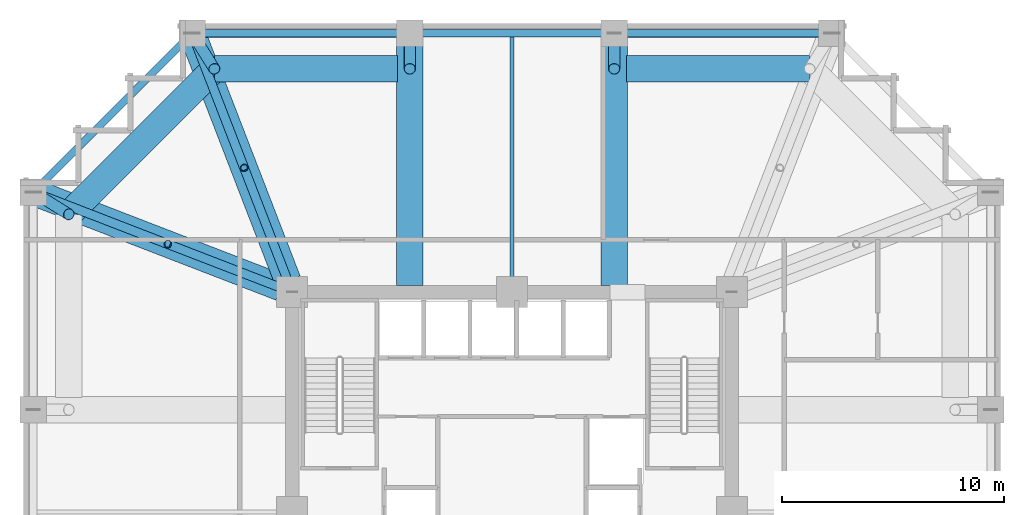
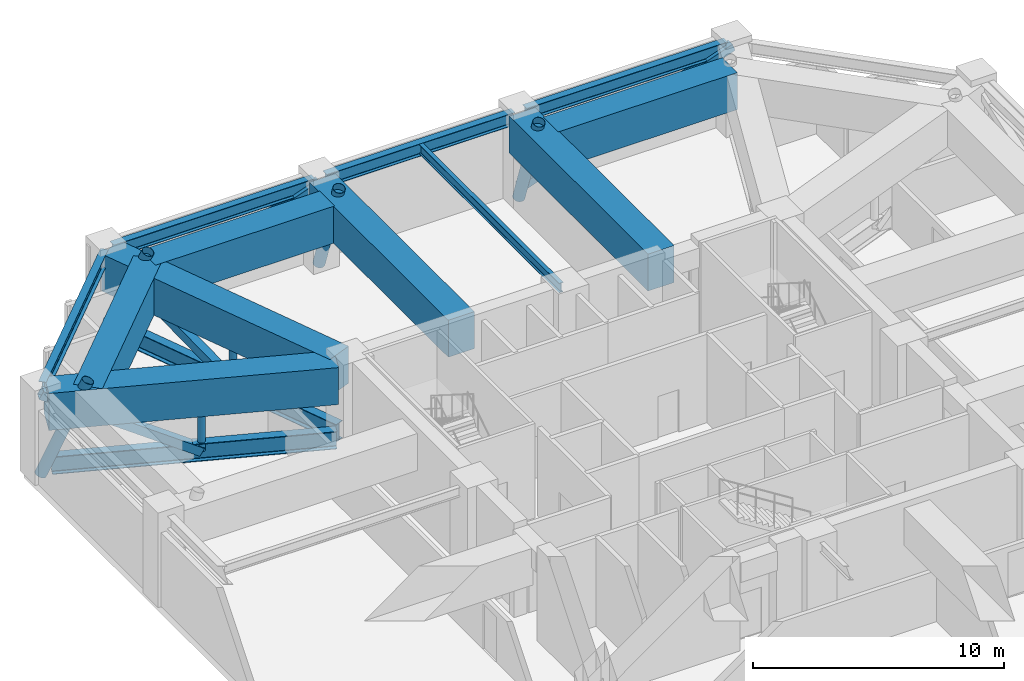
# One storey, part 5 of 15: 14 beams, 10 members.
"""IFC4 building model written with IfcOpenShell, lengths in metres."""

from ifc_helpers import new_model, si_unit, direction, frame, origin, origin_2d, place, context, subcontext, project, spatial, rectangle, hollow_rectangle, hollow_circle, i_section, extrude, material, material_profile, profile_set, type_object, element, save


model = new_model("IFC4")

# Units and contexts
model_context = context("Model", 3, precision=1e-05, world=origin(), true_north=direction((0.0, 1.0)))
body_context = subcontext(model_context, "Body", "Model", "MODEL_VIEW")
ifc_project = project(units=[si_unit("LENGTHUNIT", "METRE"), si_unit("AREAUNIT", "SQUARE_METRE"), si_unit("VOLUMEUNIT", "CUBIC_METRE"), si_unit("PLANEANGLEUNIT", "RADIAN"), si_unit("MASSUNIT", "GRAM", prefix="KILO")], contexts=[model_context])

# Site, building, storey
site_placement = place(None, origin())
site = spatial("IfcSite", under=ifc_project, at=site_placement, CompositionType="ELEMENT")
building_placement = place(site_placement, origin())
building = spatial("IfcBuilding", under=site, at=building_placement, Name="Kolvaren Belvedere", CompositionType="ELEMENT")
storey_placement = place(building_placement, frame((0.0, 0.0, 63.39990234375)))
storey = spatial("IfcBuildingStorey", under=building, at=storey_placement, Name="L18", CompositionType="ELEMENT", Elevation=63.39990234375)

# Beams
ifc_material_1 = material(Name="Structural steel ASTM A992 Grade 50", Category="steel")
ifc_material_profile_1 = material_profile(ifc_material_1, i_section(OverallWidth=0.39990234375, OverallDepth=0.85595703125, WebThickness=0.018310546875, FlangeThickness=0.029296875, FilletRadius=0.02490234375, at=origin_2d()), Name="W33X201")
ifc_profile_set_1 = profile_set([ifc_material_profile_1], Name="Structural steel ASTM A992 Grade 50")
beam_type_1 = type_object("IfcBeamType", Name="BM-GIRD-W33X201", PredefinedType="BEAM", material=ifc_profile_set_1)
for number, where, z_axis, x_axis, name in (
    (1, (-10.09814453125, 10.4130859375, 0.47998046875), (-0.360321534967, 0.932828168228, 0.0), (-0.932828168228, -0.360321534967, 0.0), "L18 Outrigger Truss Bottom Chord OB-7"),
    (2, (-10.4130859375, 10.09814453125, 0.47998046875), (-0.932828168228, 0.360321534967, 0.0), (-0.360321534967, -0.932828168228, 0.0), "L18 Outrigger Truss Bottom Chord OB-8"),
):
    element("IfcBeam", number, at=place(storey_placement, frame(where, z_axis=z_axis, x_axis=x_axis)), inside=storey, type_object=beam_type_1, Name=name, PredefinedType="BEAM", context=body_context, shape_type="SweptSolid", body=[
        extrude(i_section(OverallWidth=0.39990234375, OverallDepth=0.85595703125, WebThickness=0.018310546875, FlangeThickness=0.029296875, FilletRadius=0.02490234375, at=origin_2d()), origin(), (0.0, 0.0, 1.0), 11.48876953125),
    ])
ifc_material_2 = material(Name="Structural steel ASTM A992 Grade 50", Category="steel")
ifc_material_profile_2 = material_profile(ifc_material_2, i_section(OverallWidth=0.19091796875, OverallDepth=0.4599609375, WebThickness=0.010009765625, FlangeThickness=0.01611328125, FilletRadius=0.014892578125, at=origin_2d()), Name="W18X55")
ifc_profile_set_2 = profile_set([ifc_material_profile_2], Name="Structural steel ASTM A992 Grade 50")
beam_type_2 = type_object("IfcBeamType", Name="BM-JOIST-W18X55", PredefinedType="BEAM", material=ifc_profile_set_2)
beam_1_placement = place(storey_placement, frame((0.0, 10.199951171875, 4.070068359375), z_axis=(0.0, 1.0, 0.0), x_axis=(-1.0, 0.0, 0.0)))
element("IfcBeam", 3, at=beam_1_placement, inside=storey, type_object=beam_type_2, Name="L18 North Centre Floor Beam", PredefinedType="BEAM", context=body_context, shape_type="SweptSolid", body=[
    extrude(i_section(OverallWidth=0.19091796875, OverallDepth=0.4599609375, WebThickness=0.010009765625, FlangeThickness=0.01611328125, FilletRadius=0.014892578125, at=origin_2d()), origin(), (0.0, 0.0, 1.0), 11.1875),
])
ifc_material_3 = material(Name="Structural steel ASTM A992 Grade 50", Category="steel")
ifc_material_profile_3 = material_profile(ifc_material_3, i_section(OverallWidth=0.324951171875, OverallDepth=0.615966796875, WebThickness=0.013916015625, FlangeThickness=0.021484375, FilletRadius=0.02001953125, at=origin_2d()), Name="W24X117")
ifc_profile_set_3 = profile_set([ifc_material_profile_3], Name="Structural steel ASTM A992 Grade 50")
beam_type_3 = type_object("IfcBeamType", Name="BM-SPAN-W24X117", PredefinedType="SPANDREL", material=ifc_profile_set_3)
beam_2_placement = place(storey_placement, frame((14.1298828125, 21.550048828125, 3.9921875), z_axis=(-1.0, 0.0, 0.0), x_axis=(0.0, -1.0, 0.0)))
element("IfcBeam", 4, at=beam_2_placement, inside=storey, type_object=beam_type_3, Name="L18 Perimeter Spandrel N4-N3", PredefinedType="SPANDREL", context=body_context, shape_type="SweptSolid", body=[
    extrude(i_section(OverallWidth=0.324951171875, OverallDepth=0.615966796875, WebThickness=0.013916015625, FlangeThickness=0.021484375, FilletRadius=0.02001953125, at=origin_2d()), origin(), (0.0, 0.0, 1.0), 9.259765625),
])
beam_3_placement = place(storey_placement, frame((4.330078125, 21.550048828125, 3.9921875), z_axis=(-1.0, 0.0, 0.0), x_axis=(0.0, -1.0, 0.0)))
element("IfcBeam", 5, at=beam_3_placement, inside=storey, type_object=beam_type_3, Name="L18 Perimeter Spandrel N3-N2", PredefinedType="SPANDREL", context=body_context, shape_type="SweptSolid", body=[
    extrude(i_section(OverallWidth=0.324951171875, OverallDepth=0.615966796875, WebThickness=0.013916015625, FlangeThickness=0.021484375, FilletRadius=0.02001953125, at=origin_2d()), origin(), (0.0, 0.0, 1.0), 8.66015625),
])
beam_4_placement = place(storey_placement, frame((-4.8701171875, 21.550048828125, 3.9921875), z_axis=(-1.0, 0.0, 0.0), x_axis=(0.0, -1.0, 0.0)))
element("IfcBeam", 6, at=beam_4_placement, inside=storey, type_object=beam_type_3, Name="L18 Perimeter Spandrel N2-N1", PredefinedType="SPANDREL", context=body_context, shape_type="SweptSolid", body=[
    extrude(i_section(OverallWidth=0.324951171875, OverallDepth=0.615966796875, WebThickness=0.013916015625, FlangeThickness=0.021484375, FilletRadius=0.02001953125, at=origin_2d()), origin(), (0.0, 0.0, 1.0), 9.259765625),
])
beam_5_placement = place(storey_placement, frame((-14.5908203125, 21.359130859375, 3.9921875), z_axis=(-0.707106781187, -0.707106781187, 0.0), x_axis=(0.707106781187, -0.707106781187, 0.0)))
element("IfcBeam", 7, at=beam_5_placement, inside=storey, type_object=beam_type_3, Name="L18 Perimeter Spandrel N1-W4", PredefinedType="SPANDREL", context=body_context, shape_type="SweptSolid", body=[
    extrude(i_section(OverallWidth=0.324951171875, OverallDepth=0.615966796875, WebThickness=0.013916015625, FlangeThickness=0.021484375, FilletRadius=0.02001953125, at=origin_2d()), origin(), (0.0, 0.0, 1.0), 9.57177734375),
])
ifc_material_4 = material(Name="Concrete C50/60", Category="concrete")
ifc_material_profile_4 = material_profile(ifc_material_4, rectangle(XDim=1.199951171875, YDim=1.800048828125, at=origin_2d()), Name="RC 1200X1800")
ifc_profile_set_4 = profile_set([ifc_material_profile_4], Name="Concrete C50/60")
beam_type_4 = type_object("IfcBeamType", Name="BM-TG-1800", PredefinedType="BEAM", material=ifc_profile_set_4)
for number, where, z_axis, x_axis, name in (
    (8, (13.39990234375, 19.949951171875, 3.400146484375), (-1.0, 0.0, 0.0), (0.0, -1.0, 0.0), "L18 Step Transfer Ring Girder N4-N3"),
    (9, (-5.14990234375, 19.949951171875, 3.400146484375), (-1.0, 0.0, 0.0), (0.0, -1.0, 0.0), "L18 Step Transfer Ring Girder N2-N1"),
):
    element("IfcBeam", number, at=place(storey_placement, frame(where, z_axis=z_axis, x_axis=x_axis)), inside=storey, type_object=beam_type_4, Name=name, PredefinedType="BEAM", context=body_context, shape_type="SweptSolid", body=[
        extrude(rectangle(XDim=1.199951171875, YDim=1.800048828125, at=origin_2d()), origin(), (0.0, 0.0, 1.0), 8.25),
    ])
beam_6_placement = place(storey_placement, frame((-13.39990234375, 19.949951171875, 3.400146484375), z_axis=(-0.707106781187, -0.707106781187, 0.0), x_axis=(0.707106781187, -0.707106781187, 0.0)))
element("IfcBeam", 10, at=beam_6_placement, inside=storey, type_object=beam_type_4, Name="L18 Step Transfer Ring Girder N1-W4", PredefinedType="BEAM", context=body_context, shape_type="SweptSolid", body=[
    extrude(rectangle(XDim=1.199951171875, YDim=1.800048828125, at=origin_2d()), origin(), (0.0, 0.0, 1.0), 9.26318359375),
])
for number, where, z_axis, x_axis, name in (
    (11, (4.60009765625, 10.199951171875, 3.400146484375), (0.0, 1.0, 0.0), (-1.0, 0.0, 0.0), "L18 North Radial Girder P"),
    (12, (-4.60009765625, 10.199951171875, 3.400146484375), (0.0, 1.0, 0.0), (-1.0, 0.0, 0.0), "L18 North Radial Girder M"),
):
    element("IfcBeam", number, at=place(storey_placement, frame(where, z_axis=z_axis, x_axis=x_axis)), inside=storey, type_object=beam_type_4, Name=name, PredefinedType="BEAM", context=body_context, shape_type="SweptSolid", body=[
        extrude(rectangle(XDim=1.199951171875, YDim=1.800048828125, at=origin_2d()), origin(), (0.0, 0.0, 1.0), 11.080078125),
    ])
for number, where, z_axis, x_axis, name in (
    (13, (-10.09814453125, 10.4130859375, 3.400146484375), (-0.360318391835, 0.932829382313, 0.0), (-0.932829382313, -0.360318391835, 0.0), "L18 Corner Core-to-Perimeter Girder CC4-N1"),
    (14, (-10.4130859375, 10.09814453125, 3.400146484375), (-0.932829382313, 0.360318391835, 0.0), (-0.360318391835, -0.932829382313, 0.0), "L18 Corner Core-to-Perimeter Girder CC4-W4"),
):
    element("IfcBeam", number, at=place(storey_placement, frame(where, z_axis=z_axis, x_axis=x_axis)), inside=storey, type_object=beam_type_4, Name=name, PredefinedType="BEAM", context=body_context, shape_type="SweptSolid", body=[
        extrude(rectangle(XDim=1.199951171875, YDim=1.800048828125, at=origin_2d()), origin(), (0.0, 0.0, 1.0), 11.698974609375),
    ])

# Members
ifc_material_5 = material(Name="Structural steel ASTM A500 Grade C", Category="steel")
ifc_material_profile_5 = material_profile(ifc_material_5, hollow_rectangle(XDim=0.35595703125, YDim=0.35595703125, WallThickness=0.01171875, at=origin_2d()), Name="HSS14X14X1/2")
ifc_profile_set_5 = profile_set([ifc_material_profile_5], Name="Structural steel ASTM A500 Grade C")
member_type_1 = type_object("IfcMemberType", Name="MB-BELT-BRACE", PredefinedType="BRACE", material=ifc_profile_set_5)
for number, where, z_axis, x_axis, name in (
    (15, (-14.39990234375, 21.550048828125, 0.47998046875), (0.942643852008, 0.0, 0.333800192139), (0.0, 1.0, 0.0), "L18 Perimeter Belt Truss Brace BT-3"),
    (16, (4.60009765625, 21.550048828125, 0.47998046875), (0.942643852008, 0.0, 0.333800192139), (0.0, 1.0, 0.0), "L18 Perimeter Belt Truss Brace BT-4"),
):
    element("IfcMember", number, at=place(storey_placement, frame(where, z_axis=z_axis, x_axis=x_axis)), inside=storey, type_object=member_type_1, Name=name, PredefinedType="BRACE", context=body_context, shape_type="SweptSolid", body=[
        extrude(hollow_rectangle(XDim=0.35595703125, YDim=0.35595703125, WallThickness=0.01171875, at=origin_2d()), origin(), (0.0, 0.0, 1.0), 10.39599609375),
    ])
ifc_material_6 = material(Name="Structural steel ASTM A500 Grade C", Category="steel")
ifc_material_profile_6 = material_profile(ifc_material_6, hollow_circle(Radius=0.162109375, WallThickness=0.01171875, at=origin_2d()), Name="HSS12.750X0.500")
ifc_profile_set_6 = profile_set([ifc_material_profile_6], Name="Structural steel ASTM A500 Grade C")
member_type_2 = type_object("IfcMemberType", Name="MB-CAN-POST", PredefinedType="POST", material=ifc_profile_set_6)
for number, where, z_axis, x_axis, name in (
    (17, (-12.06005859375, 15.491943359375, 0.47998046875), (0.0, 0.0, 1.0), (1.0, 0.0, 0.0), "L18 Outrigger Portal Post OP-7"),
    (18, (-15.491943359375, 12.06005859375, 0.47998046875), (0.0, 0.0, 1.0), (1.0, 0.0, 0.0), "L18 Outrigger Portal Post OP-8"),
):
    element("IfcMember", number, at=place(storey_placement, frame(where, z_axis=z_axis, x_axis=x_axis)), inside=storey, type_object=member_type_2, Name=name, PredefinedType="POST", context=body_context, shape_type="SweptSolid", body=[
        extrude(hollow_circle(Radius=0.162109375, WallThickness=0.01171875, at=origin_2d()), origin(), (0.0, 0.0, 1.0), 3.47021484375),
    ])
ifc_material_7 = material(Name="Structural steel ASTM A500 Grade C", Category="steel")
ifc_material_profile_7 = material_profile(ifc_material_7, hollow_rectangle(XDim=0.406005859375, YDim=0.406005859375, WallThickness=0.014892578125, at=origin_2d()), Name="HSS16X16X5/8")
ifc_profile_set_7 = profile_set([ifc_material_profile_7], Name="Structural steel ASTM A500 Grade C")
member_type_3 = type_object("IfcMemberType", Name="MB-OUTRIGGER", PredefinedType="BRACE", material=ifc_profile_set_7)
for number, where, z_axis, x_axis, name in (
    (19, (-12.06005859375, 15.491943359375, 0.47998046875), (-0.317771909839, 0.822745426831, 0.471286511525), (-0.932838914997, -0.360293711668, 0.0), "L18 Outrigger Truss Diagonal OT-7A"),
    (20, (-15.491943359375, 12.06005859375, 0.47998046875), (-0.822745426831, 0.317771909839, 0.471286511525), (-0.360293711668, -0.932838914997, 0.0), "L18 Outrigger Truss Diagonal OT-8A"),
):
    element("IfcMember", number, at=place(storey_placement, frame(where, z_axis=z_axis, x_axis=x_axis)), inside=storey, type_object=member_type_3, Name=name, PredefinedType="BRACE", context=body_context, shape_type="SweptSolid", body=[
        extrude(hollow_rectangle(XDim=0.406005859375, YDim=0.406005859375, WallThickness=0.014892578125, at=origin_2d()), origin(), (0.0, 0.0, 1.0), 7.36328125),
    ])
ifc_material_8 = material(Name="Structural steel ASTM A500 Grade C", Category="steel")
ifc_material_profile_8 = material_profile(ifc_material_8, hollow_circle(Radius=0.25390625, WallThickness=0.01171875, at=origin_2d()), Name="HSS20.000X0.500")
ifc_profile_set_8 = profile_set([ifc_material_profile_8], Name="Structural steel ASTM A500 Grade C")
member_type_4 = type_object("IfcMemberType", Name="MB-WAIST-STRUT", PredefinedType="STRUT", material=ifc_profile_set_8)
member_1_placement = place(storey_placement, frame((-14.39990234375, 21.550048828125, 0.0), z_axis=(0.201124570501, -0.321818953873, 0.925192665378), x_axis=(0.84801284173, 0.529975678933, 0.0)))
element("IfcMember", 21, at=member_1_placement, inside=storey, type_object=member_type_4, Name="L18 Inclined Waist Transition Strut N1", PredefinedType="STRUT", context=body_context, shape_type="SweptSolid", body=[
    extrude(hollow_circle(Radius=0.25390625, WallThickness=0.01171875, at=origin_2d()), origin(), (0.0, 0.0, 1.0), 4.971923828125),
])
for number, where, z_axis, x_axis, name in (
    (22, (-4.60009765625, 21.550048828125, 0.0), (0.0, -0.328532290219, 0.944492739137), (1.0, 0.0, 0.0), "L18 Inclined Waist Transition Strut N2"),
    (23, (4.60009765625, 21.550048828125, 0.0), (0.0, -0.328532290219, 0.944492739137), (1.0, 0.0, 0.0), "L18 Inclined Waist Transition Strut N3"),
):
    element("IfcMember", number, at=place(storey_placement, frame(where, z_axis=z_axis, x_axis=x_axis)), inside=storey, type_object=member_type_4, Name=name, PredefinedType="STRUT", context=body_context, shape_type="SweptSolid", body=[
        extrude(hollow_circle(Radius=0.25390625, WallThickness=0.01171875, at=origin_2d()), origin(), (0.0, 0.0, 1.0), 4.870361328125),
    ])
member_2_placement = place(storey_placement, frame((-21.550048828125, 14.39990234375, 0.0), z_axis=(0.321818953873, -0.201124570501, 0.925192665378), x_axis=(0.529975678933, 0.84801284173, 0.0)))
element("IfcMember", 24, at=member_2_placement, inside=storey, type_object=member_type_4, Name="L18 Inclined Waist Transition Strut W4", PredefinedType="STRUT", context=body_context, shape_type="SweptSolid", body=[
    extrude(hollow_circle(Radius=0.25390625, WallThickness=0.01171875, at=origin_2d()), origin(), (0.0, 0.0, 1.0), 4.971923828125),
])

save(model, "model.ifc")
